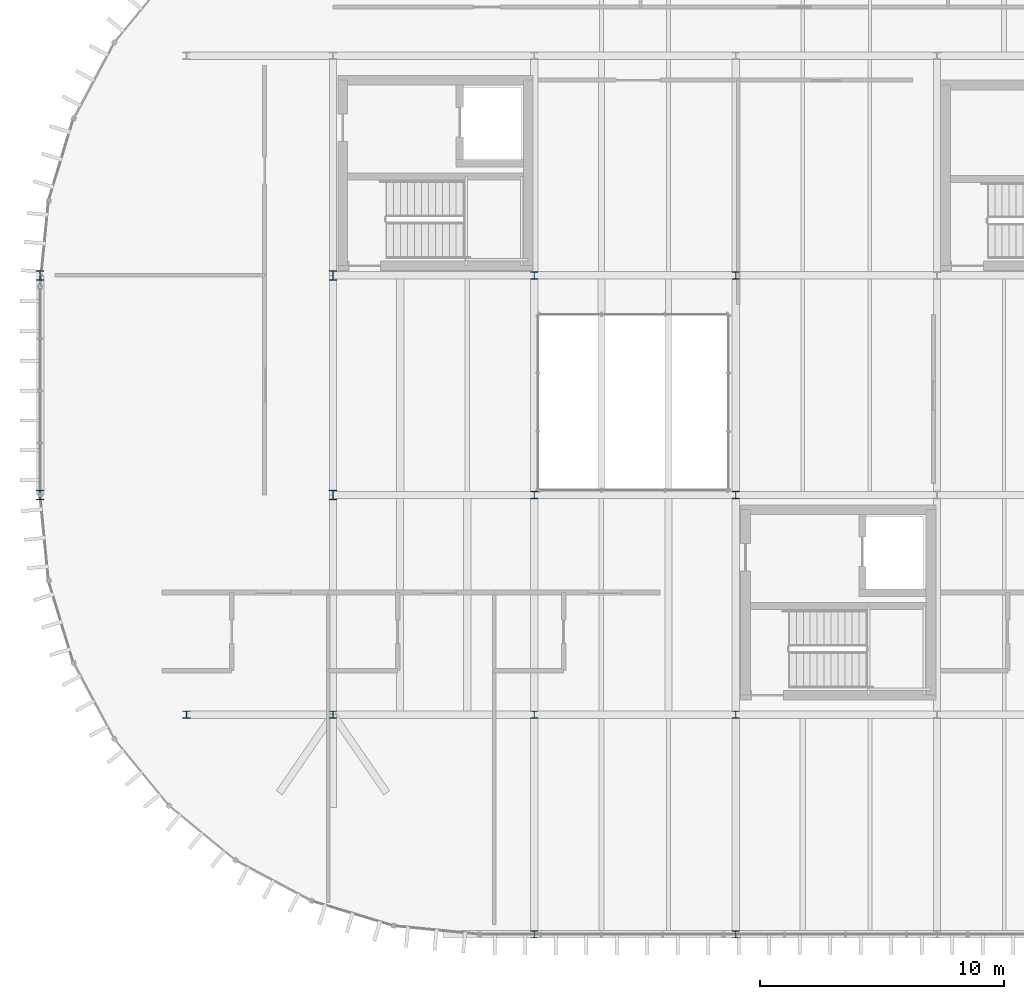
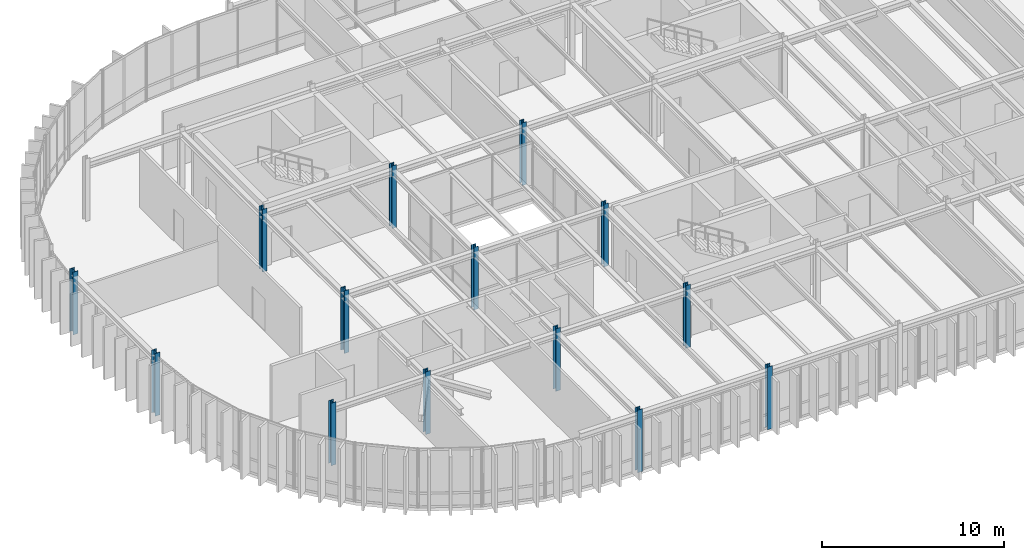
# One storey, part 1 of 27: 14 columns.
"""IFC4 building model written with IfcOpenShell, lengths in metres."""

from ifc_helpers import new_model, si_unit, direction, frame, origin, origin_2d, place, context, subcontext, project, spatial, i_section, extrude, material, material_profile, profile_set, type_object, element, save


model = new_model("IFC4")

# Units and contexts
model_context = context("Model", 3, precision=1e-05, world=origin(), true_north=direction((0.0, 1.0)))
body_context = subcontext(model_context, "Body", "Model", "MODEL_VIEW")
ifc_project = project(units=[si_unit("LENGTHUNIT", "METRE"), si_unit("AREAUNIT", "SQUARE_METRE"), si_unit("VOLUMEUNIT", "CUBIC_METRE"), si_unit("PLANEANGLEUNIT", "RADIAN"), si_unit("MASSUNIT", "GRAM", prefix="KILO")], contexts=[model_context])

# Site, building, storey
site_placement = place(None, origin())
site = spatial("IfcSite", under=ifc_project, at=site_placement, CompositionType="ELEMENT")
building_placement = place(site_placement, origin())
building = spatial("IfcBuilding", under=site, at=building_placement, Name="Montealbar Specialist Clinic", CompositionType="ELEMENT")
storey_placement = place(building_placement, frame((0.0, 0.0, 18.0)))
storey = spatial("IfcBuildingStorey", under=building, at=storey_placement, Name="L04", CompositionType="ELEMENT", Elevation=18.0)

# Columns
ifc_material = material(Name="Steel S355", Category="steel")
ifc_material_profile_1 = material_profile(ifc_material, i_section(OverallWidth=0.300048828125, OverallDepth=0.39990234375, WebThickness=0.013427734375, FlangeThickness=0.02392578125, FilletRadius=0.027099609375, at=origin_2d()), Name="HEB 400", Category="steel")
ifc_profile_set_1 = profile_set([ifc_material_profile_1], Name="Steel S355")
column_type_1 = type_object("IfcColumnType", Name="COL-S-L02-STD", PredefinedType="COLUMN", material=ifc_profile_set_1)
for number, where, z_axis, x_axis, name in (
    (1, (66.0, 18.0, 0.0), (0.0, 0.0, 1.0), (1.0, 0.0, 0.0), "Column 9/C L04"),
    (2, (66.0, 27.0, 0.0), (0.0, 0.0, 1.0), (1.0, 0.0, 0.0), "Column 9/D L04"),
):
    element("IfcColumn", number, at=place(storey_placement, frame(where, z_axis=z_axis, x_axis=x_axis)), inside=storey, type_object=column_type_1, Name=name, PredefinedType="COLUMN", context=body_context, shape_type="SweptSolid", body=[
        extrude(i_section(OverallWidth=0.300048828125, OverallDepth=0.39990234375, WebThickness=0.013427734375, FlangeThickness=0.02392578125, FilletRadius=0.027099609375, at=origin_2d()), origin(), (0.0, 0.0, 1.0), 4.199951171875),
    ])
ifc_material_profile_2 = material_profile(ifc_material, i_section(OverallWidth=0.300048828125, OverallDepth=0.39990234375, WebThickness=0.013427734375, FlangeThickness=0.02392578125, FilletRadius=0.027099609375, at=origin_2d()), Name="HEB 400", Category="steel")
ifc_profile_set_2 = profile_set([ifc_material_profile_2], Name="Steel S355")
column_type_2 = type_object("IfcColumnType", Name="COL-S-L02-STD-EXT", PredefinedType="COLUMN", material=ifc_profile_set_2)
for number, where, z_axis, x_axis, name in (
    (3, (54.0, 18.0, 0.0), (0.0, 0.0, 1.0), (1.0, 0.0, 0.0), "Column 7/C L04"),
    (4, (54.0, 27.0, 0.0), (0.0, 0.0, 1.0), (1.0, 0.0, 0.0), "Column 7/D L04"),
):
    element("IfcColumn", number, at=place(storey_placement, frame(where, z_axis=z_axis, x_axis=x_axis)), inside=storey, type_object=column_type_2, Name=name, PredefinedType="COLUMN", context=body_context, shape_type="SweptSolid", body=[
        extrude(i_section(OverallWidth=0.300048828125, OverallDepth=0.39990234375, WebThickness=0.013427734375, FlangeThickness=0.02392578125, FilletRadius=0.027099609375, at=origin_2d()), origin(), (0.0, 0.0, 1.0), 4.199951171875),
    ])
ifc_material_profile_3 = material_profile(ifc_material, i_section(OverallWidth=0.300048828125, OverallDepth=0.300048828125, WebThickness=0.010986328125, FlangeThickness=0.01904296875, FilletRadius=0.027099609375, at=origin_2d()), Name="HEB 300", Category="steel")
ifc_profile_set_3 = profile_set([ifc_material_profile_3], Name="Steel S355")
column_type_3 = type_object("IfcColumnType", Name="COL-S-L04-STD", PredefinedType="COLUMN", material=ifc_profile_set_3)
for number, where, z_axis, x_axis, name in (
    (5, (60.0, 9.0, 0.0), (0.0, 0.0, 1.0), (1.0, 0.0, 0.0), "Column 8/B L04"),
    (6, (66.0, 9.0, 0.0), (0.0, 0.0, 1.0), (1.0, 0.0, 0.0), "Column 9/B L04"),
    (7, (74.25, 9.0, 0.0), (0.0, 0.0, 1.0), (1.0, 0.0, 0.0), "Column 10/B L04"),
    (8, (74.25, 27.0, 0.0), (0.0, 0.0, 1.0), (1.0, 0.0, 0.0), "Column 10/D L04"),
    (9, (82.5, 9.0, 0.0), (0.0, 0.0, 1.0), (1.0, 0.0, 0.0), "Column 11/B L04"),
    (10, (82.5, 27.0, 0.0), (0.0, 0.0, 1.0), (1.0, 0.0, 0.0), "Column 11/D L04"),
):
    element("IfcColumn", number, at=place(storey_placement, frame(where, z_axis=z_axis, x_axis=x_axis)), inside=storey, type_object=column_type_3, Name=name, PredefinedType="COLUMN", context=body_context, shape_type="SweptSolid", body=[
        extrude(i_section(OverallWidth=0.300048828125, OverallDepth=0.300048828125, WebThickness=0.010986328125, FlangeThickness=0.01904296875, FilletRadius=0.027099609375, at=origin_2d()), origin(), (0.0, 0.0, 1.0), 4.199951171875),
    ])
ifc_material_profile_4 = material_profile(ifc_material, i_section(OverallWidth=0.300048828125, OverallDepth=0.300048828125, WebThickness=0.010986328125, FlangeThickness=0.01904296875, FilletRadius=0.027099609375, at=origin_2d()), Name="HEB 300", Category="steel")
ifc_profile_set_4 = profile_set([ifc_material_profile_4], Name="Steel S355")
column_type_4 = type_object("IfcColumnType", Name="COL-S-L04-STD-EXT", PredefinedType="COLUMN", material=ifc_profile_set_4)
for number, where, z_axis, x_axis, name in (
    (11, (74.25, 0.0, 0.0), (0.0, 0.0, 1.0), (1.0, 0.0, 0.0), "Column 10/A L04"),
    (12, (74.25, 18.0, 0.0), (0.0, 0.0, 1.0), (1.0, 0.0, 0.0), "Column 10/C L04"),
    (13, (82.5, 0.0, 0.0), (0.0, 0.0, 1.0), (1.0, 0.0, 0.0), "Column 11/A L04"),
    (14, (82.5, 18.0, 0.0), (0.0, 0.0, 1.0), (1.0, 0.0, 0.0), "Column 11/C L04"),
):
    element("IfcColumn", number, at=place(storey_placement, frame(where, z_axis=z_axis, x_axis=x_axis)), inside=storey, type_object=column_type_4, Name=name, PredefinedType="COLUMN", context=body_context, shape_type="SweptSolid", body=[
        extrude(i_section(OverallWidth=0.300048828125, OverallDepth=0.300048828125, WebThickness=0.010986328125, FlangeThickness=0.01904296875, FilletRadius=0.027099609375, at=origin_2d()), origin(), (0.0, 0.0, 1.0), 4.199951171875),
    ])

save(model, "model.ifc")
